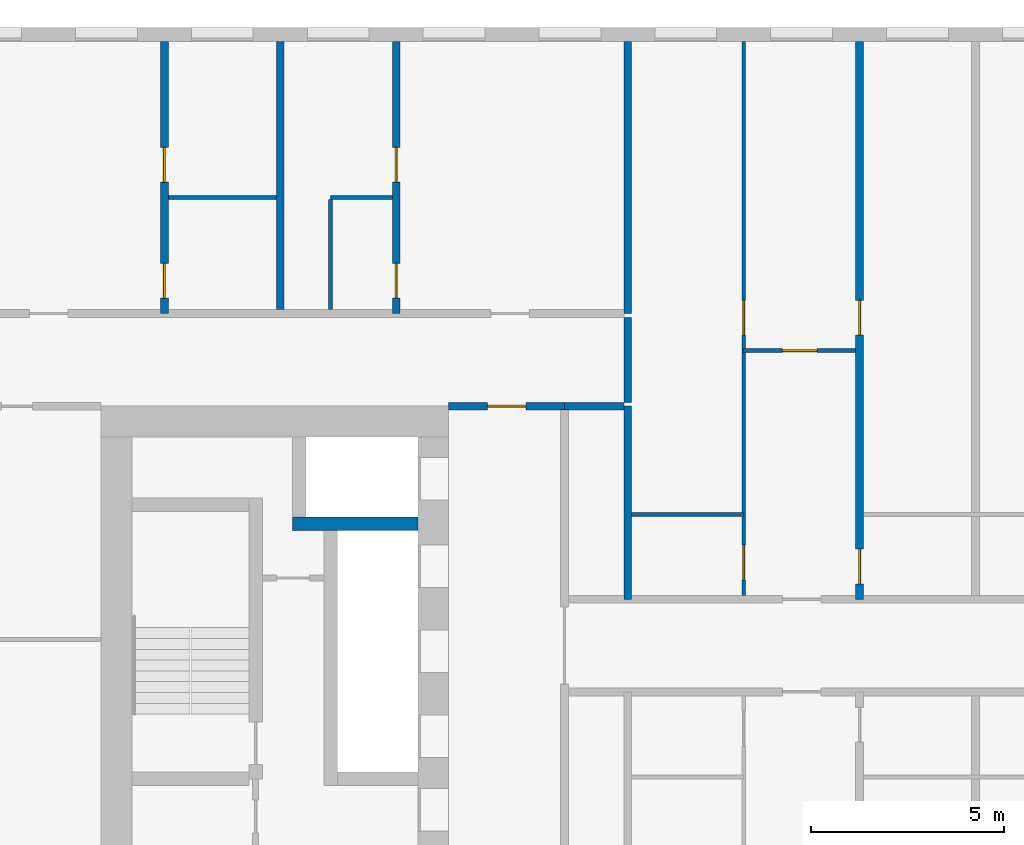
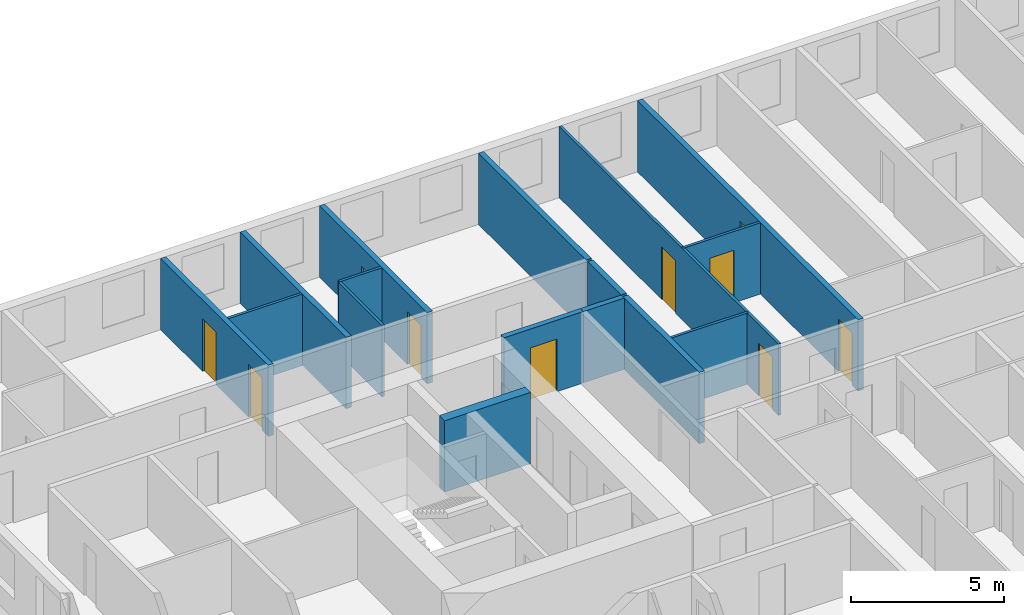
# One storey, part 5 of 17: 16 walls, 10 doors, 10 openings.
"""IFC4 building model written with IfcOpenShell, lengths in metres."""

from ifc_helpers import new_model, si_unit, direction, frame, frame_2d, origin, place, context, subcontext, project, spatial, rectangle, extrude, material, layer, layer_set, type_object, element, fill, save


model = new_model("IFC4")

# Units and contexts
model_context = context("Model", 3, precision=1e-05, world=origin(), true_north=direction((0.0, 1.0)))
body_context = subcontext(model_context, "Body", "Model", "MODEL_VIEW")
ifc_project = project(units=[si_unit("LENGTHUNIT", "METRE"), si_unit("AREAUNIT", "SQUARE_METRE"), si_unit("VOLUMEUNIT", "CUBIC_METRE"), si_unit("PLANEANGLEUNIT", "RADIAN"), si_unit("MASSUNIT", "GRAM", prefix="KILO")], contexts=[model_context])

# Site, building, storey
site_placement = place(None, origin())
site = spatial("IfcSite", under=ifc_project, at=site_placement, CompositionType="ELEMENT")
building_placement = place(site_placement, origin())
building = spatial("IfcBuilding", under=site, at=building_placement, Name="Tuart Gate Housing", CompositionType="ELEMENT")
storey_placement = place(building_placement, frame((0.0, 0.0, 44.300048828125)))
storey = spatial("IfcBuildingStorey", under=building, at=storey_placement, Name="L11", CompositionType="ELEMENT", Elevation=44.300048828125)

# Walls
ifc_material_1 = material(Name="Concrete C60", Category="concrete")
ifc_layer_1 = layer(ifc_material_1, 0.35009765625)
ifc_layer_set_1 = layer_set([ifc_layer_1], Name="Core wall 350 C60")
wall_type_1 = type_object("IfcWallType", Name="Core wall 350 C60", PredefinedType="SHEAR", material=ifc_layer_set_1)
wall_1_placement = place(storey_placement, frame((40.56005859375, 73.14990234375, 0.0), z_axis=(0.0, 0.0, 1.0), x_axis=(-1.0, 0.0, 0.0)))
element("IfcWall", 1, at=wall_1_placement, inside=storey, type_object=wall_type_1, Name="Core wall AK.2", PredefinedType="SHEAR", context=body_context, shape_type="SweptSolid", body=[
    extrude(rectangle(XDim=3.2451171875, YDim=0.35009765625, at=frame_2d((1.62255859375, 0.0))), origin(), (0.0, 0.0, 1.0), 2.849853515625),
])
ifc_material_2 = material(Name="Concrete masonry 15 MPa", Category="masonry")
ifc_layer_2 = layer(ifc_material_2, 0.199951171875)
ifc_layer_set_2 = layer_set([ifc_layer_2], Name="Corridor wall masonry 200")
wall_type_2 = type_object("IfcWallType", Name="Corridor wall masonry 200", PredefinedType="PARTITIONING", material=ifc_layer_set_2)
wall_2_placement = place(storey_placement, frame((44.360107421875, 76.199951171875, 0.0), z_axis=(0.0, 0.0, 1.0), x_axis=(1.0, 0.0, 0.0)))
element("IfcWall", 2, at=wall_2_placement, inside=storey, type_object=wall_type_2, Name="Corridor wall masonry 200", PredefinedType="PARTITIONING", context=body_context, shape_type="SweptSolid", body=[
    extrude(rectangle(XDim=1.539794921875, YDim=0.199951171875, at=frame_2d((0.77001953125, 0.0))), origin(), (0.0, 0.0, 1.0), 2.849853515625),
])
wall_3_placement = place(storey_placement, frame((46.0, 76.300048828125, 0.0), z_axis=(0.0, 0.0, 1.0), x_axis=(0.0, 1.0, 0.0)))
element("IfcWall", 3, at=wall_3_placement, inside=storey, type_object=wall_type_2, Name="Corridor wall masonry 200", PredefinedType="PARTITIONING", context=body_context, shape_type="SweptSolid", body=[
    extrude(rectangle(XDim=2.199951171875, YDim=0.199951171875, at=frame_2d((1.10009765625, 0.0))), origin(), (0.0, 0.0, 1.0), 2.849853515625),
])

# Wall, opening, door
ifc_material_3 = material(Name="Concrete masonry 15 MPa", Category="masonry")
ifc_layer_3 = layer(ifc_material_3, 0.199951171875)
ifc_layer_set_3 = layer_set([ifc_layer_3], Name="Enclosure wall masonry 200")
wall_type_3 = type_object("IfcWallType", Name="Enclosure wall masonry 200", PredefinedType="PARTITIONING", material=ifc_layer_set_3)
wall_4_placement = place(storey_placement, frame((41.360107421875, 76.199951171875, 0.0), z_axis=(0.0, 0.0, 1.0), x_axis=(1.0, 0.0, 0.0)))
wall_4 = element("IfcWall", 4, at=wall_4_placement, inside=storey, type_object=wall_type_3, Name="Enclosure wall masonry 200", PredefinedType="PARTITIONING", context=body_context, shape_type="SweptSolid", body=[
    extrude(rectangle(XDim=3.0, YDim=0.199951171875, at=frame_2d((1.5, 0.0))), origin(), (0.0, 0.0, 1.0), 2.849853515625),
])
opening_1_placement = place(wall_4_placement, frame((1.0, 0.0, 0.0)))
opening_1 = element("IfcOpeningElement", 5, at=opening_1_placement, cuts=wall_4, Name="Opening D613", PredefinedType="OPENING", context=body_context, shape_type="SweptSolid", body=[
    extrude(rectangle(XDim=1.0, YDim=2.10009765625, at=frame_2d((0.5, 1.050048828125))), frame((0.0, 0.10986328125, 0.0), z_axis=(0.0, -1.0, 0.0), x_axis=(1.0, 0.0, 0.0)), (0.0, 0.0, 1.0), 0.219970703125),
])
ifc_material_4 = material(Name="Timber door leaf in steel frame", Category="steel")
door_type_1 = type_object("IfcDoorType", Name="Fire door 1000 RH", OperationType="SINGLE_SWING_RIGHT", PredefinedType="DOOR", material=ifc_material_4)
door_1_placement = place(opening_1_placement, origin())
door_1 = element("IfcDoor", 6, at=door_1_placement, inside=storey, type_object=door_type_1, Name="Fire door", OperationType="SINGLE_SWING_RIGHT", OverallHeight=2.10009765625, OverallWidth=1.0, PredefinedType="DOOR", context=body_context, shape_type="SweptSolid", body=[
    extrude(rectangle(XDim=1.0, YDim=2.10009765625, at=frame_2d((0.5, 1.050048828125))), frame((0.0, 0.02490234375, 0.0), z_axis=(0.0, -1.0, 0.0), x_axis=(1.0, 0.0, 0.0)), (0.0, 0.0, 1.0), 0.050048828125),
])
fill(opening_1, door_1)

# Wall
ifc_material_5 = material(Name="Gypsum board on steel studs", Category="steel")
ifc_layer_4 = layer(ifc_material_5, 0.10009765625)
ifc_layer_set_4 = layer_set([ifc_layer_4], Name="Partition 100")
wall_type_4 = type_object("IfcWallType", Name="Partition 100", PredefinedType="PARTITIONING", material=ifc_layer_set_4)
wall_5_placement = place(storey_placement, frame((46.10009765625, 73.39990234375, 0.0), z_axis=(0.0, 0.0, 1.0), x_axis=(1.0, 0.0, 0.0)))
element("IfcWall", 7, at=wall_5_placement, inside=storey, type_object=wall_type_4, Name="Partition 100", PredefinedType="PARTITIONING", context=body_context, shape_type="SweptSolid", body=[
    extrude(rectangle(XDim=2.89990234375, YDim=0.10009765625, at=frame_2d((1.449951171875, 0.0))), origin(), (0.0, 0.0, 1.0), 2.849853515625),
])

# Wall, opening, door
wall_6_placement = place(storey_placement, frame((49.0, 77.639892578125, 0.0), z_axis=(0.0, 0.0, 1.0), x_axis=(1.0, 0.0, 0.0)))
wall_6 = element("IfcWall", 8, at=wall_6_placement, inside=storey, type_object=wall_type_4, Name="Partition 100", PredefinedType="PARTITIONING", context=body_context, shape_type="SweptSolid", body=[
    extrude(rectangle(XDim=2.89990234375, YDim=0.10009765625, at=frame_2d((1.449951171875, 0.0))), origin(), (0.0, 0.0, 1.0), 2.849853515625),
])
opening_2_placement = place(wall_6_placement, frame((1.0, 0.0, 0.0)))
opening_2 = element("IfcOpeningElement", 9, at=opening_2_placement, cuts=wall_6, Name="Opening D611", PredefinedType="OPENING", context=body_context, shape_type="SweptSolid", body=[
    extrude(rectangle(XDim=0.89990234375, YDim=2.10009765625, at=frame_2d((0.449951171875, 1.050048828125))), frame((0.0, 0.06005859375, 0.0), z_axis=(0.0, -1.0, 0.0), x_axis=(1.0, 0.0, 0.0)), (0.0, 0.0, 1.0), 0.1201171875),
])
ifc_material_6 = material(Name="Timber door leaf in steel frame", Category="steel")
door_type_2 = type_object("IfcDoorType", Name="Internal door 900 RH", OperationType="SINGLE_SWING_RIGHT", PredefinedType="DOOR", material=ifc_material_6)
door_2_placement = place(opening_2_placement, frame((0.89990234375, 0.0, 0.0), z_axis=(0.0, 0.0, 1.0), x_axis=(-1.0, 0.0, 0.0)))
door_2 = element("IfcDoor", 10, at=door_2_placement, inside=storey, type_object=door_type_2, Name="Internal door", OperationType="SINGLE_SWING_RIGHT", OverallHeight=2.10009765625, OverallWidth=0.89990234375, PredefinedType="DOOR", context=body_context, shape_type="SweptSolid", body=[
    extrude(rectangle(XDim=0.89990234375, YDim=2.10009765625, at=frame_2d((0.449951171875, 1.050048828125))), frame((0.0, 0.025146484375, 0.0), z_axis=(0.0, -1.0, 0.0), x_axis=(1.0, 0.0, 0.0)), (0.0, 0.0, 1.0), 0.050048828125),
])
fill(opening_2, door_2)

# Walls
wall_7_placement = place(storey_placement, frame((34.10009765625, 81.60009765625, 0.0), z_axis=(0.0, 0.0, 1.0), x_axis=(1.0, 0.0, 0.0)))
element("IfcWall", 11, at=wall_7_placement, inside=storey, type_object=wall_type_4, Name="Partition 100", PredefinedType="PARTITIONING", context=body_context, shape_type="SweptSolid", body=[
    extrude(rectangle(XDim=2.7998046875, YDim=0.10009765625, at=frame_2d((1.39990234375, 0.0))), origin(), (0.0, 0.0, 1.0), 2.849853515625),
])
wall_8_placement = place(storey_placement, frame((38.300048828125, 81.60009765625, 0.0), z_axis=(0.0, 0.0, 1.0), x_axis=(1.0, 0.0, 0.0)))
element("IfcWall", 12, at=wall_8_placement, inside=storey, type_object=wall_type_4, Name="Partition 100", PredefinedType="PARTITIONING", context=body_context, shape_type="SweptSolid", body=[
    extrude(rectangle(XDim=1.599853515625, YDim=0.10009765625, at=frame_2d((0.7998046875, 0.0))), origin(), (0.0, 0.0, 1.0), 2.849853515625),
])
wall_9_placement = place(storey_placement, frame((38.300048828125, 78.699951171875, 0.0), z_axis=(0.0, 0.0, 1.0), x_axis=(0.0, 1.0, 0.0)))
element("IfcWall", 13, at=wall_9_placement, inside=storey, type_object=wall_type_4, Name="Partition 100", PredefinedType="PARTITIONING", context=body_context, shape_type="SweptSolid", body=[
    extrude(rectangle(XDim=2.85009765625, YDim=0.10009765625, at=frame_2d((1.425048828125, 0.0))), origin(), (0.0, 0.0, 1.0), 2.849853515625),
])

# Wall, openings, doors
wall_10_placement = place(storey_placement, frame((49.0, 71.300048828125, 0.0), z_axis=(0.0, 0.0, 1.0), x_axis=(0.0, 1.0, 0.0)))
wall_10 = element("IfcWall", 14, at=wall_10_placement, inside=storey, type_object=wall_type_4, Name="Partition 100", PredefinedType="PARTITIONING", context=body_context, shape_type="SweptSolid", body=[
    extrude(rectangle(XDim=14.33984375, YDim=0.10009765625, at=frame_2d((7.169921875, 0.0))), origin(), (0.0, 0.0, 1.0), 2.849853515625),
])
opening_3_placement = place(wall_10_placement, frame((6.739990234375, 0.0, 0.0)))
opening_3 = element("IfcOpeningElement", 15, at=opening_3_placement, cuts=wall_10, Name="Opening D604", PredefinedType="OPENING", context=body_context, shape_type="SweptSolid", body=[
    extrude(rectangle(XDim=0.89990234375, YDim=2.10009765625, at=frame_2d((0.449951171875, 1.050048828125))), frame((0.0, 0.06005859375, 0.0), z_axis=(0.0, -1.0, 0.0), x_axis=(1.0, 0.0, 0.0)), (0.0, 0.0, 1.0), 0.1201171875),
])
opening_4_placement = place(wall_10_placement, frame((0.39990234375, 0.0, 0.0)))
opening_4 = element("IfcOpeningElement", 16, at=opening_4_placement, cuts=wall_10, Name="Opening D603", PredefinedType="OPENING", context=body_context, shape_type="SweptSolid", body=[
    extrude(rectangle(XDim=0.89990234375, YDim=2.10009765625, at=frame_2d((0.449951171875, 1.050048828125))), frame((0.0, 0.06005859375, 0.0), z_axis=(0.0, -1.0, 0.0), x_axis=(1.0, 0.0, 0.0)), (0.0, 0.0, 1.0), 0.1201171875),
])
ifc_material_7 = material(Name="Timber door leaf in steel frame", Category="steel")
door_type_3 = type_object("IfcDoorType", Name="Bathroom door 900", OperationType="SINGLE_SWING_LEFT", PredefinedType="DOOR", material=ifc_material_7)
door_3_placement = place(opening_4_placement, origin())
door_3 = element("IfcDoor", 17, at=door_3_placement, inside=storey, type_object=door_type_3, Name="Bathroom door", OperationType="SINGLE_SWING_LEFT", OverallHeight=2.10009765625, OverallWidth=0.89990234375, PredefinedType="DOOR", context=body_context, shape_type="SweptSolid", body=[
    extrude(rectangle(XDim=0.89990234375, YDim=2.10009765625, at=frame_2d((0.449951171875, 1.050048828125))), frame((0.0, 0.02490234375, 0.0), z_axis=(0.0, -1.0, 0.0), x_axis=(1.0, 0.0, 0.0)), (0.0, 0.0, 1.0), 0.050048828125),
])
fill(opening_4, door_3)
ifc_material_8 = material(Name="Timber door leaf in steel frame", Category="steel")
door_type_4 = type_object("IfcDoorType", Name="Internal door 900", OperationType="SINGLE_SWING_LEFT", PredefinedType="DOOR", material=ifc_material_8)
door_4_placement = place(opening_3_placement, origin())
door_4 = element("IfcDoor", 18, at=door_4_placement, inside=storey, type_object=door_type_4, Name="Internal door", OperationType="SINGLE_SWING_LEFT", OverallHeight=2.10009765625, OverallWidth=0.89990234375, PredefinedType="DOOR", context=body_context, shape_type="SweptSolid", body=[
    extrude(rectangle(XDim=0.89990234375, YDim=2.10009765625, at=frame_2d((0.449951171875, 1.050048828125))), frame((0.0, 0.02490234375, 0.0), z_axis=(0.0, -1.0, 0.0), x_axis=(1.0, 0.0, 0.0)), (0.0, 0.0, 1.0), 0.050048828125),
])
fill(opening_3, door_4)

ifc_material_9 = material(Name="Concrete C40", Category="concrete")
ifc_layer_5 = layer(ifc_material_9, 0.199951171875)
ifc_layer_set_5 = layer_set([ifc_layer_5], Name="Party wall concrete C40 200")
wall_type_5 = type_object("IfcWallType", Name="Party wall concrete C40 200", PredefinedType="SOLIDWALL", material=ifc_layer_set_5)
wall_11_placement = place(storey_placement, frame((34.0, 78.60009765625, 0.0), z_axis=(0.0, 0.0, 1.0), x_axis=(0.0, 1.0, 0.0)))
wall_11 = element("IfcWall", 19, at=wall_11_placement, inside=storey, type_object=wall_type_5, Name="Party wall concrete C40 200", PredefinedType="SOLIDWALL", context=body_context, shape_type="SweptSolid", body=[
    extrude(rectangle(XDim=7.039794921875, YDim=0.199951171875, at=frame_2d((3.52001953125, 0.0))), origin(), (0.0, 0.0, 1.0), 2.849853515625),
])
opening_5_placement = place(wall_11_placement, frame((3.39990234375, 0.0, 0.0)))
opening_5 = element("IfcOpeningElement", 20, at=opening_5_placement, cuts=wall_11, Name="Opening D591", PredefinedType="OPENING", context=body_context, shape_type="SweptSolid", body=[
    extrude(rectangle(XDim=0.89990234375, YDim=2.10009765625, at=frame_2d((0.449951171875, 1.050048828125))), frame((0.0, 0.10986328125, 0.0), z_axis=(0.0, -1.0, 0.0), x_axis=(1.0, 0.0, 0.0)), (0.0, 0.0, 1.0), 0.219970703125),
])
opening_6_placement = place(wall_11_placement, frame((0.39990234375, 0.0, 0.0)))
opening_6 = element("IfcOpeningElement", 21, at=opening_6_placement, cuts=wall_11, Name="Opening D590", PredefinedType="OPENING", context=body_context, shape_type="SweptSolid", body=[
    extrude(rectangle(XDim=0.89990234375, YDim=2.10009765625, at=frame_2d((0.449951171875, 1.050048828125))), frame((0.0, 0.10986328125, 0.0), z_axis=(0.0, -1.0, 0.0), x_axis=(1.0, 0.0, 0.0)), (0.0, 0.0, 1.0), 0.219970703125),
])
ifc_material_10 = material(Name="Timber door leaf in steel frame", Category="steel")
door_type_5 = type_object("IfcDoorType", Name="Bathroom door 900 RH", OperationType="SINGLE_SWING_RIGHT", PredefinedType="DOOR", material=ifc_material_10)
door_5_placement = place(opening_6_placement, frame((0.89990234375, 0.0, 0.0), z_axis=(0.0, 0.0, 1.0), x_axis=(-1.0, 0.0, 0.0)))
door_5 = element("IfcDoor", 22, at=door_5_placement, inside=storey, type_object=door_type_5, Name="Bathroom door", OperationType="SINGLE_SWING_RIGHT", OverallHeight=2.10009765625, OverallWidth=0.89990234375, PredefinedType="DOOR", context=body_context, shape_type="SweptSolid", body=[
    extrude(rectangle(XDim=0.89990234375, YDim=2.10009765625, at=frame_2d((0.449951171875, 1.050048828125))), frame((0.0, 0.025146484375, 0.0), z_axis=(0.0, -1.0, 0.0), x_axis=(1.0, 0.0, 0.0)), (0.0, 0.0, 1.0), 0.050048828125),
])
fill(opening_6, door_5)
door_6_placement = place(opening_5_placement, frame((0.89990234375, 0.0, 0.0), z_axis=(0.0, 0.0, 1.0), x_axis=(-1.0, 0.0, 0.0)))
door_6 = element("IfcDoor", 23, at=door_6_placement, inside=storey, type_object=door_type_2, Name="Internal door", OperationType="SINGLE_SWING_RIGHT", OverallHeight=2.10009765625, OverallWidth=0.89990234375, PredefinedType="DOOR", context=body_context, shape_type="SweptSolid", body=[
    extrude(rectangle(XDim=0.89990234375, YDim=2.10009765625, at=frame_2d((0.449951171875, 1.050048828125))), frame((0.0, 0.025146484375, 0.0), z_axis=(0.0, -1.0, 0.0), x_axis=(1.0, 0.0, 0.0)), (0.0, 0.0, 1.0), 0.050048828125),
])
fill(opening_5, door_6)

wall_12_placement = place(storey_placement, frame((40.0, 78.60009765625, 0.0), z_axis=(0.0, 0.0, 1.0), x_axis=(0.0, 1.0, 0.0)))
wall_12 = element("IfcWall", 24, at=wall_12_placement, inside=storey, type_object=wall_type_5, Name="Party wall concrete C40 200", PredefinedType="SOLIDWALL", context=body_context, shape_type="SweptSolid", body=[
    extrude(rectangle(XDim=7.039794921875, YDim=0.199951171875, at=frame_2d((3.52001953125, 0.0))), origin(), (0.0, 0.0, 1.0), 2.849853515625),
])
opening_7_placement = place(wall_12_placement, frame((3.39990234375, 0.0, 0.0)))
opening_7 = element("IfcOpeningElement", 25, at=opening_7_placement, cuts=wall_12, Name="Opening D593", PredefinedType="OPENING", context=body_context, shape_type="SweptSolid", body=[
    extrude(rectangle(XDim=0.89990234375, YDim=2.10009765625, at=frame_2d((0.449951171875, 1.050048828125))), frame((0.0, 0.10986328125, 0.0), z_axis=(0.0, -1.0, 0.0), x_axis=(1.0, 0.0, 0.0)), (0.0, 0.0, 1.0), 0.219970703125),
])
opening_8_placement = place(wall_12_placement, frame((0.39990234375, 0.0, 0.0)))
opening_8 = element("IfcOpeningElement", 26, at=opening_8_placement, cuts=wall_12, Name="Opening D592", PredefinedType="OPENING", context=body_context, shape_type="SweptSolid", body=[
    extrude(rectangle(XDim=0.89990234375, YDim=2.10009765625, at=frame_2d((0.449951171875, 1.050048828125))), frame((0.0, 0.10986328125, 0.0), z_axis=(0.0, -1.0, 0.0), x_axis=(1.0, 0.0, 0.0)), (0.0, 0.0, 1.0), 0.219970703125),
])
door_7_placement = place(opening_8_placement, origin())
door_7 = element("IfcDoor", 27, at=door_7_placement, inside=storey, type_object=door_type_3, Name="Bathroom door", OperationType="SINGLE_SWING_LEFT", OverallHeight=2.10009765625, OverallWidth=0.89990234375, PredefinedType="DOOR", context=body_context, shape_type="SweptSolid", body=[
    extrude(rectangle(XDim=0.89990234375, YDim=2.10009765625, at=frame_2d((0.449951171875, 1.050048828125))), frame((0.0, 0.02490234375, 0.0), z_axis=(0.0, -1.0, 0.0), x_axis=(1.0, 0.0, 0.0)), (0.0, 0.0, 1.0), 0.050048828125),
])
fill(opening_8, door_7)
door_8_placement = place(opening_7_placement, origin())
door_8 = element("IfcDoor", 28, at=door_8_placement, inside=storey, type_object=door_type_4, Name="Internal door", OperationType="SINGLE_SWING_LEFT", OverallHeight=2.10009765625, OverallWidth=0.89990234375, PredefinedType="DOOR", context=body_context, shape_type="SweptSolid", body=[
    extrude(rectangle(XDim=0.89990234375, YDim=2.10009765625, at=frame_2d((0.449951171875, 1.050048828125))), frame((0.0, 0.02490234375, 0.0), z_axis=(0.0, -1.0, 0.0), x_axis=(1.0, 0.0, 0.0)), (0.0, 0.0, 1.0), 0.050048828125),
])
fill(opening_7, door_8)

# Walls
wall_13_placement = place(storey_placement, frame((46.0, 71.199951171875, 0.0), z_axis=(0.0, 0.0, 1.0), x_axis=(0.0, 1.0, 0.0)))
element("IfcWall", 29, at=wall_13_placement, inside=storey, type_object=wall_type_5, Name="Party wall concrete C40 200", PredefinedType="SOLIDWALL", context=body_context, shape_type="SweptSolid", body=[
    extrude(rectangle(XDim=5.0, YDim=0.199951171875, at=frame_2d((2.5, 0.0))), origin(), (0.0, 0.0, 1.0), 2.849853515625),
])
wall_14_placement = place(storey_placement, frame((46.0, 78.60009765625, 0.0), z_axis=(0.0, 0.0, 1.0), x_axis=(0.0, 1.0, 0.0)))
element("IfcWall", 30, at=wall_14_placement, inside=storey, type_object=wall_type_5, Name="Party wall concrete C40 200", PredefinedType="SOLIDWALL", context=body_context, shape_type="SweptSolid", body=[
    extrude(rectangle(XDim=7.039794921875, YDim=0.199951171875, at=frame_2d((3.52001953125, 0.0))), origin(), (0.0, 0.0, 1.0), 2.849853515625),
])

# Wall, openings, doors
wall_15_placement = place(storey_placement, frame((52.0, 71.199951171875, 0.0), z_axis=(0.0, 0.0, 1.0), x_axis=(0.0, 1.0, 0.0)))
wall_15 = element("IfcWall", 31, at=wall_15_placement, inside=storey, type_object=wall_type_5, Name="Party wall concrete C40 200", PredefinedType="SOLIDWALL", context=body_context, shape_type="SweptSolid", body=[
    extrude(rectangle(XDim=14.43994140625, YDim=0.199951171875, at=frame_2d((7.219970703125, 0.0))), origin(), (0.0, 0.0, 1.0), 2.849853515625),
])
opening_9_placement = place(wall_15_placement, frame((6.840087890625, 0.0, 0.0)))
opening_9 = element("IfcOpeningElement", 32, at=opening_9_placement, cuts=wall_15, Name="Opening D608", PredefinedType="OPENING", context=body_context, shape_type="SweptSolid", body=[
    extrude(rectangle(XDim=0.89990234375, YDim=2.10009765625, at=frame_2d((0.449951171875, 1.050048828125))), frame((0.0, 0.10986328125, 0.0), z_axis=(0.0, -1.0, 0.0), x_axis=(1.0, 0.0, 0.0)), (0.0, 0.0, 1.0), 0.219970703125),
])
opening_10_placement = place(wall_15_placement, frame((0.39990234375, 0.0, 0.0)))
opening_10 = element("IfcOpeningElement", 33, at=opening_10_placement, cuts=wall_15, Name="Opening D607", PredefinedType="OPENING", context=body_context, shape_type="SweptSolid", body=[
    extrude(rectangle(XDim=0.89990234375, YDim=2.10009765625, at=frame_2d((0.449951171875, 1.050048828125))), frame((0.0, 0.10986328125, 0.0), z_axis=(0.0, -1.0, 0.0), x_axis=(1.0, 0.0, 0.0)), (0.0, 0.0, 1.0), 0.219970703125),
])
door_9_placement = place(opening_10_placement, frame((0.89990234375, 0.0, 0.0), z_axis=(0.0, 0.0, 1.0), x_axis=(-1.0, 0.0, 0.0)))
door_9 = element("IfcDoor", 34, at=door_9_placement, inside=storey, type_object=door_type_5, Name="Bathroom door", OperationType="SINGLE_SWING_RIGHT", OverallHeight=2.10009765625, OverallWidth=0.89990234375, PredefinedType="DOOR", context=body_context, shape_type="SweptSolid", body=[
    extrude(rectangle(XDim=0.89990234375, YDim=2.10009765625, at=frame_2d((0.449951171875, 1.050048828125))), frame((0.0, 0.025146484375, 0.0), z_axis=(0.0, -1.0, 0.0), x_axis=(1.0, 0.0, 0.0)), (0.0, 0.0, 1.0), 0.050048828125),
])
fill(opening_10, door_9)
door_10_placement = place(opening_9_placement, frame((0.89990234375, 0.0, 0.0), z_axis=(0.0, 0.0, 1.0), x_axis=(-1.0, 0.0, 0.0)))
door_10 = element("IfcDoor", 35, at=door_10_placement, inside=storey, type_object=door_type_2, Name="Internal door", OperationType="SINGLE_SWING_RIGHT", OverallHeight=2.10009765625, OverallWidth=0.89990234375, PredefinedType="DOOR", context=body_context, shape_type="SweptSolid", body=[
    extrude(rectangle(XDim=0.89990234375, YDim=2.10009765625, at=frame_2d((0.449951171875, 1.050048828125))), frame((0.0, 0.025146484375, 0.0), z_axis=(0.0, -1.0, 0.0), x_axis=(1.0, 0.0, 0.0)), (0.0, 0.0, 1.0), 0.050048828125),
])
fill(opening_9, door_10)

# Wall
ifc_material_11 = material(Name="Concrete masonry 15 MPa", Category="masonry")
ifc_layer_6 = layer(ifc_material_11, 0.199951171875)
ifc_layer_set_6 = layer_set([ifc_layer_6], Name="Party wall masonry 200")
wall_type_6 = type_object("IfcWallType", Name="Party wall masonry 200", PredefinedType="PARTITIONING", material=ifc_layer_set_6)
wall_16_placement = place(storey_placement, frame((37.0, 78.699951171875, 0.0), z_axis=(0.0, 0.0, 1.0), x_axis=(0.0, 1.0, 0.0)))
element("IfcWall", 36, at=wall_16_placement, inside=storey, type_object=wall_type_6, Name="Party wall masonry 200", PredefinedType="PARTITIONING", context=body_context, shape_type="SweptSolid", body=[
    extrude(rectangle(XDim=6.93994140625, YDim=0.199951171875, at=frame_2d((3.469970703125, 0.0))), origin(), (0.0, 0.0, 1.0), 2.849853515625),
])

save(model, "model.ifc")
